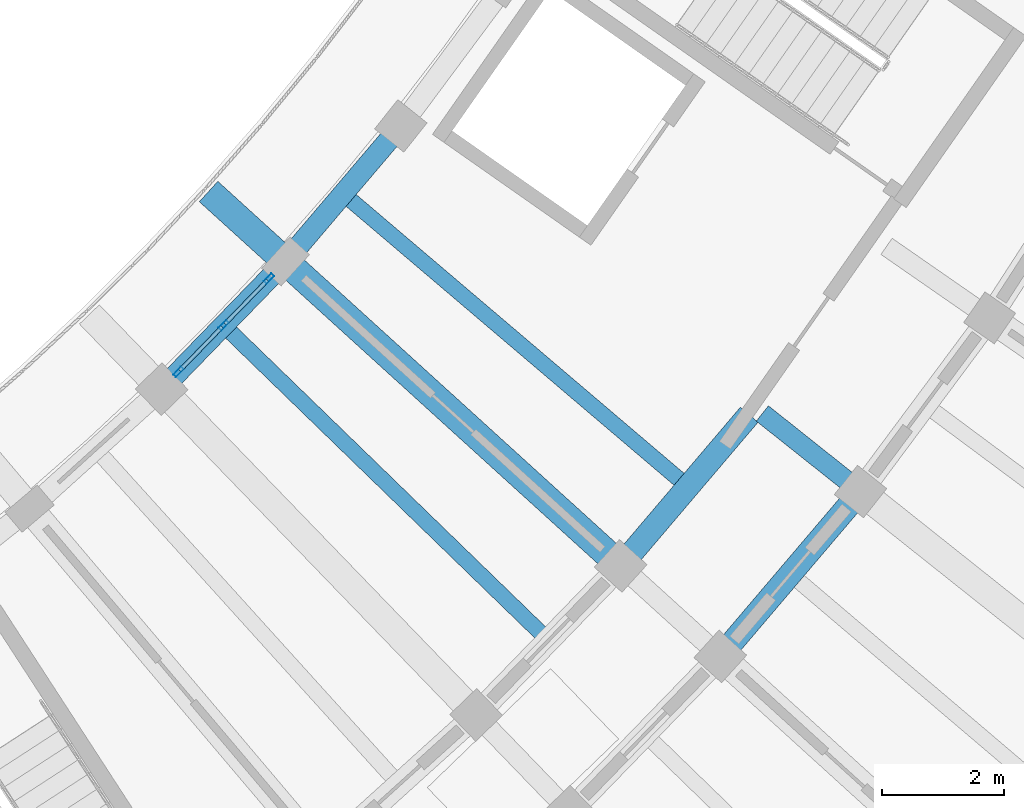
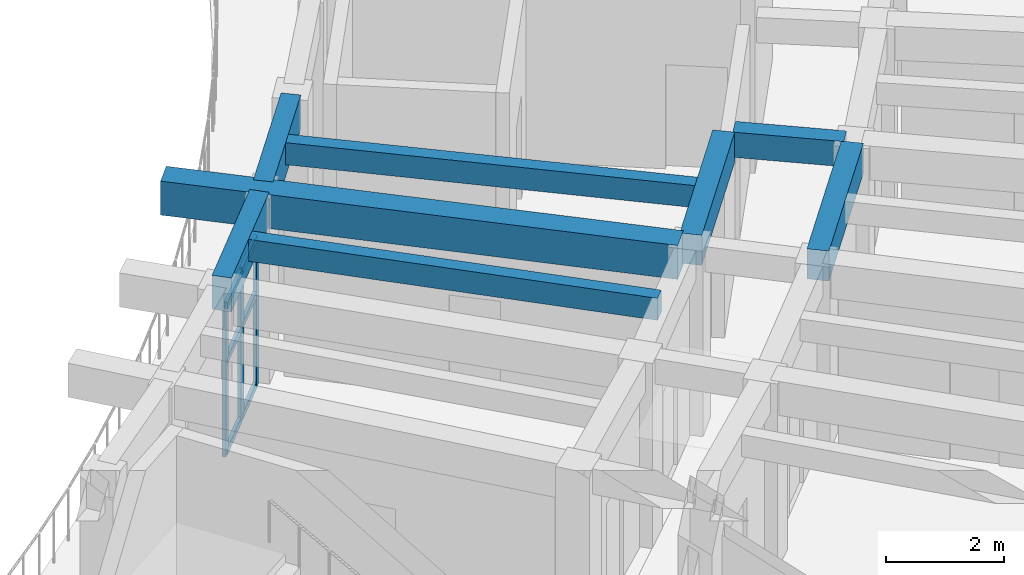
# One storey, part 57 of 128: 9 members, 8 beams, 1 element without a shape of its own.
"""IFC4 building model written with IfcOpenShell, lengths in metres."""

import ifcopenshell
import ifcopenshell.guid

model = None  # the IFC model being written
_history = None  # IfcOwnerHistory: only IFC2X3 demands one
_inside = {}  # id of a spatial element -> (the spatial element, [elements in it])
_under = {}  # id of a project, library or spatial element -> (it, [spatial elements below it])
_declared = {}  # id of a project -> (the project, [libraries it declares])
_typed = {}  # id of a type object -> (the type object, [elements of that type])
_made_of = {}  # id of a material, layer set ... -> (it, [elements and type objects made of it])


def new_model(schema):
    """Start an empty IFC model of exactly this schema.

    Asked for "IFC4X3", IfcOpenShell would pick the latest addendum, in which some entities
    have other attributes; the version numbers below select the first issue.
    IFC2X3 requires an IfcOwnerHistory on every rooted entity: one is made here for all.
    """
    global model, _history
    if schema == "IFC4X3":
        model = ifcopenshell.file(schema_version=(4, 3, 0, 0))
    else:
        model = ifcopenshell.file(schema=schema)
    _inside.clear()
    _under.clear()
    _declared.clear()
    _typed.clear()
    _made_of.clear()
    _history = None
    if model.schema == "IFC2X3":
        org = make("IfcOrganization", Name="unknown")
        user = make(
            "IfcPersonAndOrganization",
            ThePerson=make("IfcPerson", FamilyName="unknown"),
            TheOrganization=org,
        )
        app = make(
            "IfcApplication",
            ApplicationDeveloper=org,
            Version="unknown",
            ApplicationFullName="unknown",
            ApplicationIdentifier="unknown",
        )
        _history = make(
            "IfcOwnerHistory",
            OwningUser=user,
            OwningApplication=app,
            ChangeAction="ADDED",
            CreationDate=0,
        )
    return model


def make(cls, **values):
    """One entity of the class cls with the attributes given. An attribute that is None is left unset."""
    return model.create_entity(
        cls, **{name: value for name, value in values.items() if value is not None}
    )


def rooted(cls, **values):
    """An entity with a GlobalId (a new one), such as an element, a storey or a relation."""
    return make(cls, GlobalId=ifcopenshell.guid.new(), OwnerHistory=_history, **values)


def si_unit(unit_type, name, prefix=None):
    """IfcSIUnit, for example si_unit("LENGTHUNIT", "METRE", prefix="MILLI")."""
    return make("IfcSIUnit", UnitType=unit_type, Prefix=prefix, Name=name)


def assignment(units):
    """IfcUnitAssignment: the units of a project."""
    return None if units is None else make("IfcUnitAssignment", Units=units)


def point(xyz):
    """IfcCartesianPoint."""
    return None if xyz is None else make("IfcCartesianPoint", Coordinates=xyz)


def direction(xyz):
    """IfcDirection."""
    return None if xyz is None else make("IfcDirection", DirectionRatios=xyz)


def frame(location, z_axis=None, x_axis=None):
    """IfcAxis2Placement3D, a coordinate frame: its origin and axes. An axis left out is left unset."""
    return make(
        "IfcAxis2Placement3D",
        Location=point(location),
        Axis=direction(z_axis),
        RefDirection=direction(x_axis),
    )


def frame_2d(location, x_axis=None):
    """IfcAxis2Placement2D, a coordinate frame in the plane: its origin and x axis."""
    return make(
        "IfcAxis2Placement2D", Location=point(location), RefDirection=direction(x_axis)
    )


def origin():
    """The frame at (0, 0, 0) with its axes left unset."""
    return frame((0.0, 0.0, 0.0))


def origin_2d():
    """The frame at (0, 0) in the plane with its x axis left unset."""
    return frame_2d((0.0, 0.0))


def place(relative_to, where):
    """IfcLocalPlacement: puts the frame where relative to a parent placement (None: the world)."""
    return make(
        "IfcLocalPlacement", PlacementRelTo=relative_to, RelativePlacement=where
    )


def context(
    kind, dimensions, precision=None, world=None, true_north=None, identifier=None
):
    """IfcGeometricRepresentationContext, for example the 3D "Model" context."""
    return make(
        "IfcGeometricRepresentationContext",
        ContextIdentifier=identifier,
        ContextType=kind,
        CoordinateSpaceDimension=dimensions,
        Precision=precision,
        WorldCoordinateSystem=world,
        TrueNorth=true_north,
    )


def subcontext(parent, identifier, kind, view, scale=None):
    """IfcGeometricRepresentationSubContext, for example "Body" below "Model"."""
    return make(
        "IfcGeometricRepresentationSubContext",
        ContextIdentifier=identifier,
        ContextType=kind,
        ParentContext=parent,
        TargetScale=scale,
        TargetView=view,
    )


def project(units=None, contexts=None):
    """IfcProject with its units and contexts."""
    return rooted(
        "IfcProject",
        Name="project",
        RepresentationContexts=contexts,
        UnitsInContext=assignment(units),
    )


def spatial(cls, under=None, at=None, **own):
    """A site, building, storey or space (cls), placed at a placement, below another one or the project."""
    s = rooted(cls, ObjectPlacement=at, **own)
    if under is not None:
        _under.setdefault(under.id(), (under, []))[1].append(s)
    return s


def profile(cls, at=None, kind="AREA", **sizes):
    """A parametric profile (cls). Its sizes go by their IFC names, for example OverallWidth=200.0."""
    return make(cls, ProfileType=kind, Position=at, **sizes)


def rectangle(**sizes):
    """IfcRectangleProfileDef."""
    return profile("IfcRectangleProfileDef", **sizes)


def hollow_rectangle(**sizes):
    """IfcRectangleHollowProfileDef."""
    return profile("IfcRectangleHollowProfileDef", **sizes)


def extrude(swept, where, along, depth):
    """IfcExtrudedAreaSolid: the profile swept, set in the frame where, extruded along a direction by depth."""
    return make(
        "IfcExtrudedAreaSolid",
        SweptArea=swept,
        Position=where,
        ExtrudedDirection=direction(along),
        Depth=depth,
    )


def shape(context_of_items, identifier, shape_type, items):
    """IfcShapeRepresentation: the items that make up one representation, for example the "Body"."""
    return make(
        "IfcShapeRepresentation",
        ContextOfItems=context_of_items,
        RepresentationIdentifier=identifier,
        RepresentationType=shape_type,
        Items=items,
    )


def material(Name=None, Category=None):
    """IfcMaterial."""
    return make("IfcMaterial", Name=Name, Category=Category)


def material_profile(
    of_material, cross_section, Name=None, Category=None, Priority=None
):
    """IfcMaterialProfile: a cross section and its material."""
    return make(
        "IfcMaterialProfile",
        Name=Name,
        Material=of_material,
        Profile=cross_section,
        Priority=Priority,
        Category=Category,
    )


def profile_set(profiles, Name=None, composite=None):
    """IfcMaterialProfileSet."""
    return make(
        "IfcMaterialProfileSet",
        Name=Name,
        MaterialProfiles=profiles,
        CompositeProfile=composite,
    )


def made_of(thing, what):
    """Note that an element or type object is made of a material, layer set ...; save() writes the relation."""
    if what is not None:
        _made_of.setdefault(what.id(), (what, []))[1].append(thing)
    return thing


def type_object(cls, material=None, **own):
    """A type object (cls), such as IfcWallType, which elements share."""
    return made_of(rooted(cls, **own), material)


def element(
    cls,
    number,
    at=None,
    inside=None,
    cuts=None,
    type_object=None,
    material=None,
    context=None,
    identifier="Body",
    shape_type=None,
    held_by="IfcProductDefinitionShape",
    body=None,
    shapes=None,
    **own,
):
    """One element of the class cls, such as IfcWall. Its Tag is "e" and its number.

    at: its placement. inside: the storey or other place that contains it. cuts: it is an
    opening in that element (IfcRelVoidsElement). A single representation is given by context,
    identifier, shape_type and body (its items); several are given by shapes. held_by: the class
    of the entity that holds the representations. save() writes the other relations.
    """
    e = rooted(cls, Tag="e%d" % number, ObjectPlacement=at, **own)
    if body is not None:
        shapes = [shape(context, identifier, shape_type, body)]
    if shapes is not None:
        e.Representation = make(held_by, Representations=shapes)
    if inside is not None:
        _inside.setdefault(inside.id(), (inside, []))[1].append(e)
    if cuts is not None:
        rooted(
            "IfcRelVoidsElement", RelatingBuildingElement=cuts, RelatedOpeningElement=e
        )
    if type_object is not None:
        _typed.setdefault(type_object.id(), (type_object, []))[1].append(e)
    return made_of(e, material)


def aggregate(whole, parts):
    """IfcRelAggregates: a whole, such as a stair, and the parts it consists of."""
    return rooted("IfcRelAggregates", RelatingObject=whole, RelatedObjects=parts)


def save(model, path):
    """Write the relations noted so far, then the file.

    IfcRelAggregates (storeys below a building ...), IfcRelContainedInSpatialStructure (elements
    in a storey), IfcRelDefinesByType, IfcRelAssociatesMaterial and IfcRelDeclares: one each for
    every whole, place, type object, material and project.
    """
    for whole, parts in _under.values():
        aggregate(whole, parts)
    for where, things in _inside.values():
        rooted(
            "IfcRelContainedInSpatialStructure",
            RelatedElements=things,
            RelatingStructure=where,
        )
    for kind, things in _typed.values():
        rooted("IfcRelDefinesByType", RelatedObjects=things, RelatingType=kind)
    for what, things in _made_of.values():
        rooted("IfcRelAssociatesMaterial", RelatedObjects=things, RelatingMaterial=what)
    for by, libraries in _declared.values():
        rooted("IfcRelDeclares", RelatingContext=by, RelatedDefinitions=libraries)
    model.write(path)


model = new_model("IFC4")

# Units and contexts
model_context = context("Model", 3, precision=1e-05, world=origin(), true_north=direction((0.0, 1.0)))
body_context = subcontext(model_context, "Body", "Model", "MODEL_VIEW")
ifc_project = project(units=[si_unit("LENGTHUNIT", "METRE"), si_unit("AREAUNIT", "SQUARE_METRE"), si_unit("VOLUMEUNIT", "CUBIC_METRE"), si_unit("PLANEANGLEUNIT", "RADIAN"), si_unit("MASSUNIT", "GRAM", prefix="KILO")], contexts=[model_context])

# Site, building, storey
site_placement = place(None, origin())
site = spatial("IfcSite", under=ifc_project, at=site_placement, CompositionType="ELEMENT")
building_placement = place(site_placement, origin())
building = spatial("IfcBuilding", under=site, at=building_placement, Name="Tanwirah Colonnade Gardens", CompositionType="ELEMENT")
storey_placement = place(building_placement, frame((0.0, 0.0, 4.760009765625)))
storey = spatial("IfcBuildingStorey", under=building, at=storey_placement, Name="L01", CompositionType="ELEMENT", Elevation=4.760009765625)

# Beams
ifc_material_1 = material(Name="Precast concrete C40/50", Category="concrete")
ifc_material_profile_1 = material_profile(ifc_material_1, rectangle(XDim=0.320068359375, YDim=0.52001953125, at=origin_2d()), Name="PC-BM 320x520")
ifc_profile_set_1 = profile_set([ifc_material_profile_1], Name="Precast concrete C40/50")
beam_type_1 = type_object("IfcBeamType", Name="BM-PC320", PredefinedType="BEAM", material=ifc_profile_set_1)
beam_1_placement = place(storey_placement, frame((161.695556640625, 32.129150390625, 3.56494140625), z_axis=(0.782670764896, -0.622435919415, 0.0), x_axis=(0.622435919415, 0.782670764896, 0.0)))
element("IfcBeam", 1, at=beam_1_placement, inside=storey, type_object=beam_type_1, Name="Block D L01 Corridor Tie Beam 10", PredefinedType="BEAM", context=body_context, shape_type="SweptSolid", body=[
    extrude(rectangle(XDim=0.320068359375, YDim=0.52001953125, at=origin_2d()), origin(), (0.0, 0.0, 1.0), 1.89990234375),
])
ifc_material_profile_2 = material_profile(ifc_material_1, rectangle(XDim=0.3798828125, YDim=0.6201171875, at=origin_2d()), Name="PC-BM 380x620")
ifc_profile_set_2 = profile_set([ifc_material_profile_2], Name="Precast concrete C40/50")
beam_type_2 = type_object("IfcBeamType", Name="BM-PC380", PredefinedType="BEAM", material=ifc_profile_set_2)
beam_2_placement = place(storey_placement, frame((159.4775390625, 29.751953125, 3.514892578125), z_axis=(0.647730901566, 0.761869200819, 0.0), x_axis=(-0.761869200819, 0.647730901566, 0.0)))
element("IfcBeam", 2, at=beam_2_placement, inside=storey, type_object=beam_type_2, Name="Block D L01 Circumferential Beam 9-R1", PredefinedType="BEAM", context=body_context, shape_type="SweptSolid", body=[
    extrude(rectangle(XDim=0.3798828125, YDim=0.6201171875, at=origin_2d()), origin(), (0.0, 0.0, 1.0), 3.093017578125),
])
beam_3_placement = place(storey_placement, frame((161.10595703125, 28.27294921875, 3.514892578125), z_axis=(0.6478235549, 0.761790418499, 0.0), x_axis=(-0.761790418499, 0.6478235549, 0.0)))
element("IfcBeam", 3, at=beam_3_placement, inside=storey, type_object=beam_type_2, Name="Block D L01 Circumferential Beam 9-R2", PredefinedType="BEAM", context=body_context, shape_type="SweptSolid", body=[
    extrude(rectangle(XDim=0.3798828125, YDim=0.6201171875, at=origin_2d()), origin(), (0.0, 0.0, 1.0), 3.23681640625),
])
ifc_material_2 = material(Name="Precast concrete C45/55", Category="concrete")
ifc_material_profile_3 = material_profile(ifc_material_2, rectangle(XDim=0.449951171875, YDim=0.699951171875, at=origin_2d()), Name="PC-BM 450x700")
ifc_profile_set_3 = profile_set([ifc_material_profile_3], Name="Precast concrete C45/55")
beam_type_3 = type_object("IfcBeamType", Name="BM-PC450", PredefinedType="BEAM", material=ifc_profile_set_3)
beam_4_placement = place(storey_placement, frame((159.269287109375, 29.738525390625, 3.47509765625), z_axis=(-0.740212791446, 0.672372681911, 0.0), x_axis=(-0.672372681911, -0.740212791446, 0.0)))
element("IfcBeam", 4, at=beam_4_placement, inside=storey, type_object=beam_type_3, Name="Block D L01 Inner Radial Precast Girder 9", PredefinedType="BEAM", context=body_context, shape_type="SweptSolid", body=[
    extrude(rectangle(XDim=0.449951171875, YDim=0.699951171875, at=origin_2d()), origin(), (0.0, 0.0, 1.0), 8.9501953125),
])

# Curtain wall, members
ifc_material_3 = material(Name="Bronze-anodised aluminium and solar-control low-E glass", Category="aluminium")
curtain_wall_type = type_object("IfcCurtainWallType", Name="CW-GDN", PredefinedType="NOTDEFINED", material=ifc_material_3)
curtain_wall_placement = place(storey_placement, origin())
curtain_wall = element("IfcCurtainWall", 5, at=curtain_wall_placement, inside=storey, type_object=curtain_wall_type, Name="Curtain Wall CW-D-L01-IN-08", PredefinedType="NOTDEFINED")
ifc_material_4 = material(Name="Bronze-anodised aluminium", Category="aluminium")
ifc_material_profile_4 = material_profile(ifc_material_4, hollow_rectangle(XDim=0.06494140625, YDim=0.179931640625, WallThickness=0.00390625, at=origin_2d()), Name="CW-MUL 65x180x4")
ifc_profile_set_4 = profile_set([ifc_material_profile_4], Name="Bronze-anodised aluminium")
member_type_1 = type_object("IfcMemberType", Name="CWM-65x180", PredefinedType="MULLION", material=ifc_profile_set_4)
member_1_placement = place(storey_placement, frame((152.15087890625, 32.80712890625, 0.0), z_axis=(0.0, 0.0, 1.0), x_axis=(-0.717825107678, 0.696223466127, 0.0)))
member_1 = element("IfcMember", 6, at=member_1_placement, type_object=member_type_1, Name="CW-GDN mullion 1", PredefinedType="MULLION", context=body_context, shape_type="SweptSolid", body=[
    extrude(hollow_rectangle(XDim=0.06494140625, YDim=0.179931640625, WallThickness=0.00390625, at=origin_2d()), origin(), (0.0, 0.0, 1.0), 3.074951171875),
])
member_2_placement = place(storey_placement, frame((152.89013671875, 33.5693359375, 0.0), z_axis=(0.0, 0.0, 1.0), x_axis=(-0.717825107678, 0.696223466127, 0.0)))
member_2 = element("IfcMember", 7, at=member_2_placement, type_object=member_type_1, Name="CW-GDN mullion 2", PredefinedType="MULLION", context=body_context, shape_type="SweptSolid", body=[
    extrude(hollow_rectangle(XDim=0.06494140625, YDim=0.179931640625, WallThickness=0.00390625, at=origin_2d()), origin(), (0.0, 0.0, 1.0), 3.074951171875),
])
member_3_placement = place(storey_placement, frame((153.62939453125, 34.33154296875, 0.0), z_axis=(0.0, 0.0, 1.0), x_axis=(-0.717825107678, 0.696223466127, 0.0)))
member_3 = element("IfcMember", 8, at=member_3_placement, type_object=member_type_1, Name="CW-GDN mullion 3", PredefinedType="MULLION", context=body_context, shape_type="SweptSolid", body=[
    extrude(hollow_rectangle(XDim=0.06494140625, YDim=0.179931640625, WallThickness=0.00390625, at=origin_2d()), origin(), (0.0, 0.0, 1.0), 3.074951171875),
])
ifc_material_profile_5 = material_profile(ifc_material_4, hollow_rectangle(XDim=0.06494140625, YDim=0.135009765625, WallThickness=0.00390625, at=origin_2d()), Name="CW-TRN 65x135x4")
ifc_profile_set_5 = profile_set([ifc_material_profile_5], Name="Bronze-anodised aluminium")
member_type_2 = type_object("IfcMemberType", Name="CWT-65x135", PredefinedType="USERDEFINED", material=ifc_profile_set_5)
member_4_placement = place(storey_placement, frame((152.173583984375, 32.830322265625, 0.032470703125), z_axis=(0.696122883348, 0.717922649927, 0.0), x_axis=(-0.717922649927, 0.696122883348, 0.0)))
member_4 = element("IfcMember", 9, at=member_4_placement, type_object=member_type_2, Name="CW-GDN transom 1.1", ObjectType="TRANSOM", PredefinedType="USERDEFINED", context=body_context, shape_type="SweptSolid", body=[
    extrude(hollow_rectangle(XDim=0.06494140625, YDim=0.135009765625, WallThickness=0.00390625, at=origin_2d()), origin(), (0.0, 0.0, 1.0), 0.996826171875),
])
member_5_placement = place(storey_placement, frame((152.173583984375, 32.830322265625, 1.906494140625), z_axis=(0.696122883348, 0.717922649927, 0.0), x_axis=(-0.717922649927, 0.696122883348, 0.0)))
member_5 = element("IfcMember", 10, at=member_5_placement, type_object=member_type_2, Name="CW-GDN transom 1.2", ObjectType="TRANSOM", PredefinedType="USERDEFINED", context=body_context, shape_type="SweptSolid", body=[
    extrude(hollow_rectangle(XDim=0.06494140625, YDim=0.135009765625, WallThickness=0.00390625, at=origin_2d()), origin(), (0.0, 0.0, 1.0), 0.996826171875),
])
member_6_placement = place(storey_placement, frame((152.173583984375, 32.830322265625, 3.04248046875), z_axis=(0.696122883348, 0.717922649927, 0.0), x_axis=(-0.717922649927, 0.696122883348, 0.0)))
member_6 = element("IfcMember", 11, at=member_6_placement, type_object=member_type_2, Name="CW-GDN transom 1.3", ObjectType="TRANSOM", PredefinedType="USERDEFINED", context=body_context, shape_type="SweptSolid", body=[
    extrude(hollow_rectangle(XDim=0.06494140625, YDim=0.135009765625, WallThickness=0.00390625, at=origin_2d()), origin(), (0.0, 0.0, 1.0), 0.996826171875),
])
member_7_placement = place(storey_placement, frame((152.912841796875, 33.592529296875, 0.032470703125), z_axis=(0.696122883348, 0.717922649927, 0.0), x_axis=(-0.717922649927, 0.696122883348, 0.0)))
member_7 = element("IfcMember", 12, at=member_7_placement, type_object=member_type_2, Name="CW-GDN transom 2.1", ObjectType="TRANSOM", PredefinedType="USERDEFINED", context=body_context, shape_type="SweptSolid", body=[
    extrude(hollow_rectangle(XDim=0.06494140625, YDim=0.135009765625, WallThickness=0.00390625, at=origin_2d()), origin(), (0.0, 0.0, 1.0), 0.996826171875),
])
member_8_placement = place(storey_placement, frame((152.912841796875, 33.592529296875, 1.906494140625), z_axis=(0.696122883348, 0.717922649927, 0.0), x_axis=(-0.717922649927, 0.696122883348, 0.0)))
member_8 = element("IfcMember", 13, at=member_8_placement, type_object=member_type_2, Name="CW-GDN transom 2.2", ObjectType="TRANSOM", PredefinedType="USERDEFINED", context=body_context, shape_type="SweptSolid", body=[
    extrude(hollow_rectangle(XDim=0.06494140625, YDim=0.135009765625, WallThickness=0.00390625, at=origin_2d()), origin(), (0.0, 0.0, 1.0), 0.996826171875),
])
member_9_placement = place(storey_placement, frame((152.912841796875, 33.592529296875, 3.04248046875), z_axis=(0.696122883348, 0.717922649927, 0.0), x_axis=(-0.717922649927, 0.696122883348, 0.0)))
member_9 = element("IfcMember", 14, at=member_9_placement, type_object=member_type_2, Name="CW-GDN transom 2.3", ObjectType="TRANSOM", PredefinedType="USERDEFINED", context=body_context, shape_type="SweptSolid", body=[
    extrude(hollow_rectangle(XDim=0.06494140625, YDim=0.135009765625, WallThickness=0.00390625, at=origin_2d()), origin(), (0.0, 0.0, 1.0), 0.996826171875),
])
aggregate(curtain_wall, [member_1, member_2, member_3, member_4, member_5, member_6, member_7, member_8, member_9])

# Beams
ifc_material_profile_6 = material_profile(ifc_material_1, rectangle(XDim=0.2548828125, YDim=0.455078125, at=origin_2d()), Name="PC-JST 255x455")
ifc_profile_set_6 = profile_set([ifc_material_profile_6], Name="Precast concrete C40/50")
beam_type_4 = type_object("IfcBeamType", Name="JST-PC240", PredefinedType="JOIST", material=ifc_profile_set_6)
beam_5_placement = place(storey_placement, frame((152.993408203125, 33.46923828125, 3.597412109375), z_axis=(0.717816218075, -0.69623263143, 0.0), x_axis=(0.69623263143, 0.717816218075, 0.0)))
element("IfcBeam", 15, at=beam_5_placement, inside=storey, type_object=beam_type_4, Name="Block D L01 Inner Precast Floor Joist 8", PredefinedType="JOIST", context=body_context, shape_type="SweptSolid", body=[
    extrude(rectangle(XDim=0.2548828125, YDim=0.455078125, at=origin_2d()), origin(), (0.0, 0.0, 1.0), 7.16015625),
])
beam_6_placement = place(storey_placement, frame((154.954345703125, 35.628173828125, 3.597412109375), z_axis=(0.761816472242, -0.647792916464, 0.0), x_axis=(0.647792916464, 0.761816472242, 0.0)))
element("IfcBeam", 16, at=beam_6_placement, inside=storey, type_object=beam_type_4, Name="Block D L01 Inner Precast Floor Joist 9", PredefinedType="JOIST", context=body_context, shape_type="SweptSolid", body=[
    extrude(rectangle(XDim=0.2548828125, YDim=0.455078125, at=origin_2d()), origin(), (0.0, 0.0, 1.0), 7.159912109375),
])
ifc_material_profile_7 = material_profile(ifc_material_2, rectangle(XDim=0.340087890625, YDim=0.699951171875, at=origin_2d()), Name="PC-SP 340x700")
ifc_profile_set_7 = profile_set([ifc_material_profile_7], Name="Precast concrete C45/55")
beam_type_5 = type_object("IfcBeamType", Name="SP-PC340", PredefinedType="SPANDREL", material=ifc_profile_set_7)
beam_7_placement = place(storey_placement, frame((151.98193359375, 32.633056640625, 3.47509765625), z_axis=(0.696262751108, 0.717787002822, 0.0), x_axis=(-0.717787002822, 0.696262751108, 0.0)))
element("IfcBeam", 17, at=beam_7_placement, inside=storey, type_object=beam_type_5, Name="Block D L01 Circumferential Beam 8-R0", PredefinedType="SPANDREL", context=body_context, shape_type="SweptSolid", body=[
    extrude(rectangle(XDim=0.340087890625, YDim=0.699951171875, at=origin_2d()), origin(), (0.0, 0.0, 1.0), 2.60888671875),
])
beam_8_placement = place(storey_placement, frame((153.999755859375, 34.7275390625, 3.47509765625), z_axis=(0.647811402053, 0.761800753065, 0.0), x_axis=(-0.761800753065, 0.647811402053, 0.0)))
element("IfcBeam", 18, at=beam_8_placement, inside=storey, type_object=beam_type_5, Name="Block D L01 Circumferential Beam 9-R0", PredefinedType="SPANDREL", context=body_context, shape_type="SweptSolid", body=[
    extrude(rectangle(XDim=0.340087890625, YDim=0.699951171875, at=origin_2d()), origin(), (0.0, 0.0, 1.0), 2.608642578125),
])

save(model, "model.ifc")
